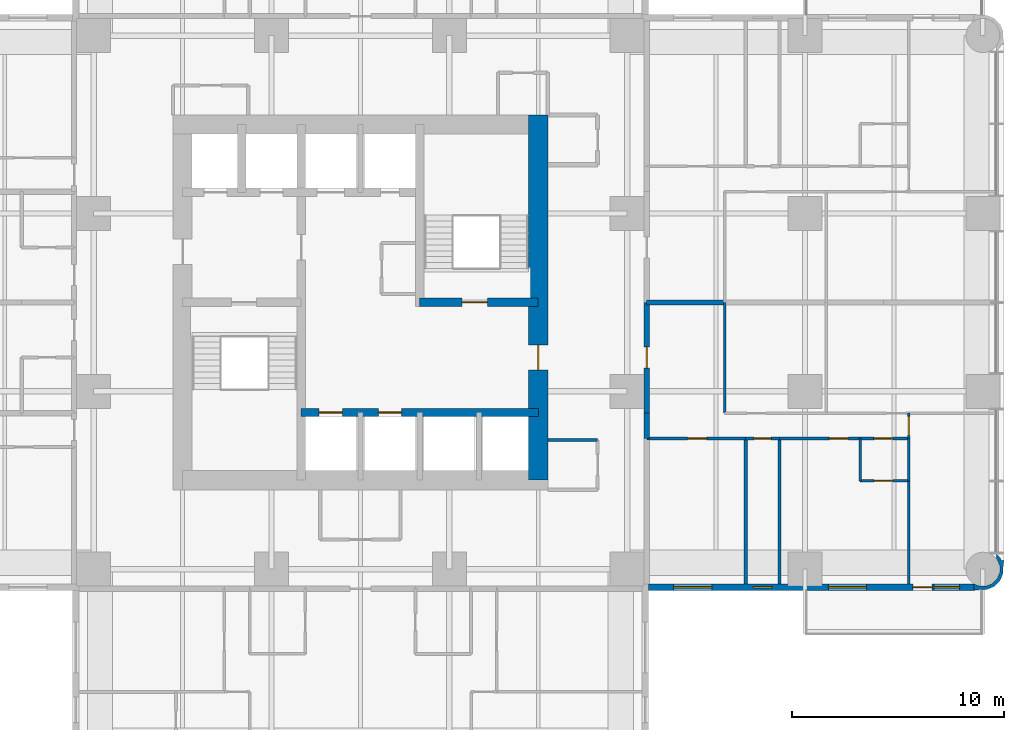
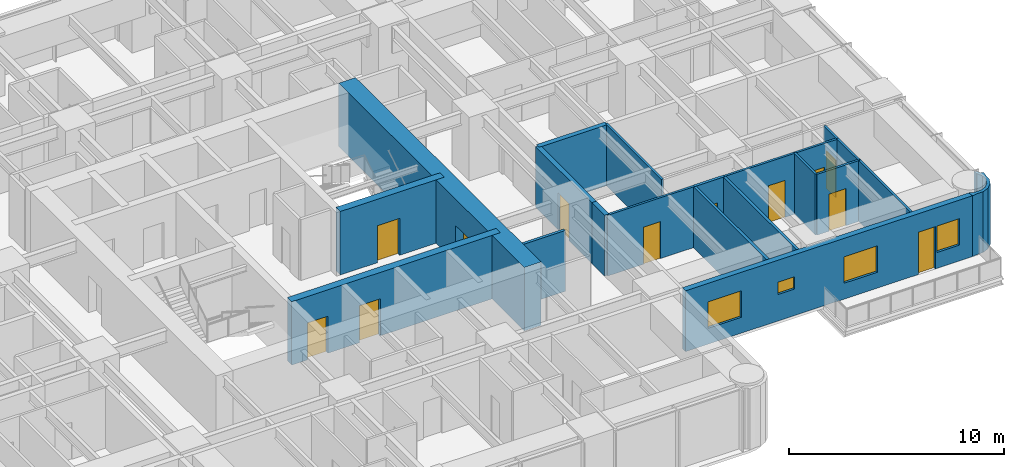
# One storey, part 9 of 14: 21 walls, 12 doors, 4 windows, 16 openings.
"""IFC4 building model written with IfcOpenShell, lengths in metres."""

from ifc_helpers import new_model, si_unit, direction, frame, frame_2d, origin, place, context, subcontext, project, spatial, polyline, rectangle, outline, extrude, material, layer, layer_set, type_object, element, fill, save


model = new_model("IFC4")

# Units and contexts
model_context = context("Model", 3, precision=1e-05, world=origin(), true_north=direction((0.0, 1.0)))
body_context = subcontext(model_context, "Body", "Model", "MODEL_VIEW")
ifc_project = project(units=[si_unit("LENGTHUNIT", "METRE"), si_unit("AREAUNIT", "SQUARE_METRE"), si_unit("VOLUMEUNIT", "CUBIC_METRE"), si_unit("PLANEANGLEUNIT", "RADIAN"), si_unit("MASSUNIT", "GRAM", prefix="KILO")], contexts=[model_context])

# Site, building, storey
site_placement = place(None, origin())
site = spatial("IfcSite", under=ifc_project, at=site_placement, CompositionType="ELEMENT")
building_placement = place(site_placement, origin())
building = spatial("IfcBuilding", under=site, at=building_placement, Name="Torre Alcanfor", CompositionType="ELEMENT")
storey_placement = place(building_placement, frame((0.0, 0.0, 141.300048828125)))
storey = spatial("IfcBuildingStorey", under=building, at=storey_placement, Name="L36", CompositionType="ELEMENT", Elevation=141.300048828125)

# Wall, opening, door
ifc_material_1 = material(Name="Concrete block masonry, hollow blocks NMX-C-404 9 MPa", Category="masonry")
ifc_layer_1 = layer(ifc_material_1, 0.25)
ifc_layer_set_1 = layer_set([ifc_layer_1], Name="Apartment entrance wall 250 EI 60")
wall_type_1 = type_object("IfcWallType", Name="Apartment entrance wall 250 EI 60", PredefinedType="PARTITIONING", material=ifc_layer_set_1)
wall_1_placement = place(storey_placement, frame((42.925048828125, 29.39990234375, 0.0), z_axis=(0.0, 0.0, 1.0), x_axis=(0.0, -1.0, 0.0)))
wall_1 = element("IfcWall", 1, at=wall_1_placement, inside=storey, type_object=wall_type_1, Name="Partition L36-CORR / L36-E2-ZAG", PredefinedType="PARTITIONING", context=body_context, shape_type="SweptSolid", body=[
    extrude(rectangle(XDim=5.22900390625, YDim=0.25, at=frame_2d((2.614501953125, 0.0))), origin(), (0.0, 0.0, 1.0), 3.449951171875),
])
opening_1_placement = place(wall_1_placement, frame((2.10009765625, 0.0, 0.0)))
opening_1 = element("IfcOpeningElement", 2, at=opening_1_placement, cuts=wall_1, Name="Opening D-A1", PredefinedType="OPENING", context=body_context, shape_type="SweptSolid", body=[
    extrude(rectangle(XDim=1.0, YDim=2.10009765625, at=frame_2d((0.5, 1.050048828125))), frame((0.0, 0.135009765625, 0.0), z_axis=(0.0, -1.0, 0.0), x_axis=(1.0, 0.0, 0.0)), (0.0, 0.0, 1.0), 0.27001953125),
])
ifc_material_2 = material(Name="Galvanised steel sheet ASTM A653", Category="steel")
door_type_1 = type_object("IfcDoorType", Name="Apartment entrance door FD60 1000x2100", OperationType="SINGLE_SWING_LEFT", PredefinedType="DOOR", material=ifc_material_2)
door_1_placement = place(opening_1_placement, origin())
door_1 = element("IfcDoor", 3, at=door_1_placement, inside=storey, type_object=door_type_1, Name="Apartment entrance L36-E2", OperationType="SINGLE_SWING_LEFT", OverallHeight=2.10009765625, OverallWidth=1.0, PredefinedType="DOOR", context=body_context, shape_type="SweptSolid", body=[
    extrude(rectangle(XDim=1.0, YDim=2.10009765625, at=frame_2d((0.5, 1.050048828125))), frame((0.0, 0.02490234375, 0.0), z_axis=(0.0, -1.0, 0.0), x_axis=(1.0, 0.0, 0.0)), (0.0, 0.0, 1.0), 0.050048828125),
])
fill(opening_1, door_1)

# Walls
wall_2_placement = place(storey_placement, frame((42.925048828125, 24.1708984375, 0.0), z_axis=(0.0, 0.0, 1.0), x_axis=(0.0, -1.0, 0.0)))
element("IfcWall", 4, at=wall_2_placement, inside=storey, type_object=wall_type_1, Name="Partition L36-CORR / L36-E2-HALL", PredefinedType="PARTITIONING", context=body_context, shape_type="SweptSolid", body=[
    extrude(rectangle(XDim=1.199951171875, YDim=0.25, at=frame_2d((0.60009765625, 0.0))), origin(), (0.0, 0.0, 1.0), 3.449951171875),
])
ifc_material_3 = material(Name="Gypsum board on steel studs", Category="steel")
ifc_layer_2 = layer(ifc_material_3, 0.1201171875)
ifc_layer_set_2 = layer_set([ifc_layer_2], Name="Apartment partition 120")
wall_type_2 = type_object("IfcWallType", Name="Apartment partition 120", PredefinedType="PARTITIONING", material=ifc_layer_set_2)
wall_3_placement = place(storey_placement, frame((46.60009765625, 29.39990234375, 0.0), z_axis=(0.0, 0.0, 1.0), x_axis=(0.0, -1.0, 0.0)))
element("IfcWall", 5, at=wall_3_placement, inside=storey, type_object=wall_type_2, Name="Partition L36-E2-ZAG / L36-E2-FAMILY", PredefinedType="PARTITIONING", context=body_context, shape_type="SweptSolid", body=[
    extrude(rectangle(XDim=5.22900390625, YDim=0.1201171875, at=frame_2d((2.614501953125, 0.0))), origin(), (0.0, 0.0, 1.0), 3.449951171875),
])

# Wall, opening, door
wall_4_placement = place(storey_placement, frame((47.60009765625, 22.970947265625, 0.0), z_axis=(0.0, 0.0, 1.0), x_axis=(-1.0, 0.0, 0.0)))
wall_4 = element("IfcWall", 6, at=wall_4_placement, inside=storey, type_object=wall_type_2, Name="Partition L36-E2-HALL / L36-E2-BED2", PredefinedType="PARTITIONING", context=body_context, shape_type="SweptSolid", body=[
    extrude(rectangle(XDim=4.675048828125, YDim=0.1201171875, at=frame_2d((2.33740234375, 0.0))), origin(), (0.0, 0.0, 1.0), 3.449951171875),
])
opening_2_placement = place(wall_4_placement, frame((1.85009765625, 0.0, 0.0)))
opening_2 = element("IfcOpeningElement", 7, at=opening_2_placement, cuts=wall_4, Name="Opening D-R1", PredefinedType="OPENING", context=body_context, shape_type="SweptSolid", body=[
    extrude(rectangle(XDim=0.89990234375, YDim=2.10009765625, at=frame_2d((0.449951171875, 1.050048828125))), frame((0.0, 0.070068359375, 0.0), z_axis=(0.0, -1.0, 0.0), x_axis=(1.0, 0.0, 0.0)), (0.0, 0.0, 1.0), 0.14013671875),
])
ifc_material_4 = material(Name="Timber", Category="wood")
door_type_2 = type_object("IfcDoorType", Name="Internal door 900x2100", OperationType="SINGLE_SWING_LEFT", PredefinedType="DOOR", material=ifc_material_4)
door_2_placement = place(opening_2_placement, origin())
door_2 = element("IfcDoor", 8, at=door_2_placement, inside=storey, type_object=door_type_2, Name="Door L36-E2 bed2", OperationType="SINGLE_SWING_LEFT", OverallHeight=2.10009765625, OverallWidth=0.89990234375, PredefinedType="DOOR", context=body_context, shape_type="SweptSolid", body=[
    extrude(rectangle(XDim=0.89990234375, YDim=2.10009765625, at=frame_2d((0.449951171875, 1.050048828125))), frame((0.0, 0.02490234375, 0.0), z_axis=(0.0, -1.0, 0.0), x_axis=(1.0, 0.0, 0.0)), (0.0, 0.0, 1.0), 0.050048828125),
])
fill(opening_2, door_2)

wall_5_placement = place(storey_placement, frame((53.0, 22.970947265625, 0.0), z_axis=(0.0, 0.0, 1.0), x_axis=(-1.0, 0.0, 0.0)))
wall_5 = element("IfcWall", 9, at=wall_5_placement, inside=storey, type_object=wall_type_2, Name="Partition L36-E2-HALL / L36-E2-MASTER", PredefinedType="PARTITIONING", context=body_context, shape_type="SweptSolid", body=[
    extrude(rectangle(XDim=3.800048828125, YDim=0.1201171875, at=frame_2d((1.89990234375, 0.0))), origin(), (0.0, 0.0, 1.0), 3.449951171875),
])
opening_3_placement = place(wall_5_placement, frame((0.550048828125, 0.0, 0.0)))
opening_3 = element("IfcOpeningElement", 10, at=opening_3_placement, cuts=wall_5, Name="Opening D-R1", PredefinedType="OPENING", context=body_context, shape_type="SweptSolid", body=[
    extrude(rectangle(XDim=0.89990234375, YDim=2.10009765625, at=frame_2d((0.449951171875, 1.050048828125))), frame((0.0, 0.070068359375, 0.0), z_axis=(0.0, -1.0, 0.0), x_axis=(1.0, 0.0, 0.0)), (0.0, 0.0, 1.0), 0.14013671875),
])
door_3_placement = place(opening_3_placement, origin())
door_3 = element("IfcDoor", 11, at=door_3_placement, inside=storey, type_object=door_type_2, Name="Door L36-E2 master", OperationType="SINGLE_SWING_LEFT", OverallHeight=2.10009765625, OverallWidth=0.89990234375, PredefinedType="DOOR", context=body_context, shape_type="SweptSolid", body=[
    extrude(rectangle(XDim=0.89990234375, YDim=2.10009765625, at=frame_2d((0.449951171875, 1.050048828125))), frame((0.0, 0.02490234375, 0.0), z_axis=(0.0, -1.0, 0.0), x_axis=(1.0, 0.0, 0.0)), (0.0, 0.0, 1.0), 0.050048828125),
])
fill(opening_3, door_3)

wall_6_placement = place(storey_placement, frame((55.300048828125, 22.970947265625, 0.0), z_axis=(0.0, 0.0, 1.0), x_axis=(-1.0, 0.0, 0.0)))
wall_6 = element("IfcWall", 12, at=wall_6_placement, inside=storey, type_object=wall_type_2, Name="Partition L36-E2-HALL / L36-E2-VEST", PredefinedType="PARTITIONING", context=body_context, shape_type="SweptSolid", body=[
    extrude(rectangle(XDim=2.300048828125, YDim=0.1201171875, at=frame_2d((1.14990234375, 0.0))), origin(), (0.0, 0.0, 1.0), 3.449951171875),
])
opening_4_placement = place(wall_6_placement, frame((0.75, 0.0, 0.0)))
opening_4 = element("IfcOpeningElement", 13, at=opening_4_placement, cuts=wall_6, Name="Opening D-R1", PredefinedType="OPENING", context=body_context, shape_type="SweptSolid", body=[
    extrude(rectangle(XDim=0.89990234375, YDim=2.10009765625, at=frame_2d((0.449951171875, 1.050048828125))), frame((0.0, 0.070068359375, 0.0), z_axis=(0.0, -1.0, 0.0), x_axis=(1.0, 0.0, 0.0)), (0.0, 0.0, 1.0), 0.14013671875),
])
door_4_placement = place(opening_4_placement, origin())
door_4 = element("IfcDoor", 14, at=door_4_placement, inside=storey, type_object=door_type_2, Name="Door L36-E2 vest", OperationType="SINGLE_SWING_RIGHT", OverallHeight=2.10009765625, OverallWidth=0.89990234375, PredefinedType="DOOR", context=body_context, shape_type="SweptSolid", body=[
    extrude(rectangle(XDim=0.89990234375, YDim=2.10009765625, at=frame_2d((0.449951171875, 1.050048828125))), frame((0.0, 0.02490234375, 0.0), z_axis=(0.0, -1.0, 0.0), x_axis=(1.0, 0.0, 0.0)), (0.0, 0.0, 1.0), 0.050048828125),
])
fill(opening_4, door_4)

wall_7_placement = place(storey_placement, frame((55.300048828125, 24.1708984375, 0.0), z_axis=(0.0, 0.0, 1.0), x_axis=(0.0, -1.0, 0.0)))
wall_7 = element("IfcWall", 15, at=wall_7_placement, inside=storey, type_object=wall_type_2, Name="Partition L36-E2-HALL / L36-E2-WGARD", PredefinedType="PARTITIONING", context=body_context, shape_type="SweptSolid", body=[
    extrude(rectangle(XDim=1.199951171875, YDim=0.1201171875, at=frame_2d((0.60009765625, 0.0))), origin(), (0.0, 0.0, 1.0), 3.449951171875),
])
opening_5_placement = place(wall_7_placement, frame((0.15087890625, 0.0, 0.0)))
opening_5 = element("IfcOpeningElement", 16, at=opening_5_placement, cuts=wall_7, Name="Opening D-R1", PredefinedType="OPENING", context=body_context, shape_type="SweptSolid", body=[
    extrude(rectangle(XDim=0.89990234375, YDim=2.10009765625, at=frame_2d((0.449951171875, 1.050048828125))), frame((0.0, 0.070068359375, 0.0), z_axis=(0.0, -1.0, 0.0), x_axis=(1.0, 0.0, 0.0)), (0.0, 0.0, 1.0), 0.14013671875),
])
door_5_placement = place(opening_5_placement, origin())
door_5 = element("IfcDoor", 17, at=door_5_placement, inside=storey, type_object=door_type_2, Name="Door L36-E2 wgard", OperationType="SINGLE_SWING_LEFT", OverallHeight=2.10009765625, OverallWidth=0.89990234375, PredefinedType="DOOR", context=body_context, shape_type="SweptSolid", body=[
    extrude(rectangle(XDim=0.89990234375, YDim=2.10009765625, at=frame_2d((0.449951171875, 1.050048828125))), frame((0.0, 0.02490234375, 0.0), z_axis=(0.0, -1.0, 0.0), x_axis=(1.0, 0.0, 0.0)), (0.0, 0.0, 1.0), 0.050048828125),
])
fill(opening_5, door_5)

# Wall
wall_8_placement = place(storey_placement, frame((53.0, 22.970947265625, 0.0), z_axis=(0.0, 0.0, 1.0), x_axis=(0.0, -1.0, 0.0)))
element("IfcWall", 18, at=wall_8_placement, inside=storey, type_object=wall_type_2, Name="Partition L36-E2-MASTER / L36-E2-VEST", PredefinedType="PARTITIONING", context=body_context, shape_type="SweptSolid", body=[
    extrude(rectangle(XDim=2.0, YDim=0.1201171875, at=frame_2d((1.0, 0.0))), origin(), (0.0, 0.0, 1.0), 3.449951171875),
])

# Wall, opening, door
wall_9_placement = place(storey_placement, frame((53.0, 20.970947265625, 0.0), z_axis=(0.0, 0.0, 1.0), x_axis=(1.0, 0.0, 0.0)))
wall_9 = element("IfcWall", 19, at=wall_9_placement, inside=storey, type_object=wall_type_2, Name="Partition L36-E2-MASTER / L36-E2-VEST", PredefinedType="PARTITIONING", context=body_context, shape_type="SweptSolid", body=[
    extrude(rectangle(XDim=2.300048828125, YDim=0.1201171875, at=frame_2d((1.14990234375, 0.0))), origin(), (0.0, 0.0, 1.0), 3.449951171875),
])
opening_6_placement = place(wall_9_placement, frame((0.64990234375, 0.0, 0.0)))
opening_6 = element("IfcOpeningElement", 20, at=opening_6_placement, cuts=wall_9, Name="Opening D-R1", PredefinedType="OPENING", context=body_context, shape_type="SweptSolid", body=[
    extrude(rectangle(XDim=0.89990234375, YDim=2.10009765625, at=frame_2d((0.449951171875, 1.050048828125))), frame((0.0, 0.070068359375, 0.0), z_axis=(0.0, -1.0, 0.0), x_axis=(1.0, 0.0, 0.0)), (0.0, 0.0, 1.0), 0.14013671875),
])
door_6_placement = place(opening_6_placement, origin())
door_6 = element("IfcDoor", 21, at=door_6_placement, inside=storey, type_object=door_type_2, Name="Door L36-E2 master", OperationType="SINGLE_SWING_LEFT", OverallHeight=2.10009765625, OverallWidth=0.89990234375, PredefinedType="DOOR", context=body_context, shape_type="SweptSolid", body=[
    extrude(rectangle(XDim=0.89990234375, YDim=2.10009765625, at=frame_2d((0.449951171875, 1.050048828125))), frame((0.0, 0.02490234375, 0.0), z_axis=(0.0, -1.0, 0.0), x_axis=(1.0, 0.0, 0.0)), (0.0, 0.0, 1.0), 0.050048828125),
])
fill(opening_6, door_6)

# Walls
wall_10_placement = place(storey_placement, frame((55.300048828125, 20.970947265625, 0.0), z_axis=(0.0, 0.0, 1.0), x_axis=(0.0, -1.0, 0.0)))
element("IfcWall", 22, at=wall_10_placement, inside=storey, type_object=wall_type_2, Name="Partition L36-E2-MASTER / L36-E2-WGARD", PredefinedType="PARTITIONING", context=body_context, shape_type="SweptSolid", body=[
    extrude(rectangle(XDim=4.870849609375, YDim=0.1201171875, at=frame_2d((2.435546875, 0.0))), origin(), (0.0, 0.0, 1.0), 3.449951171875),
])
wall_11_placement = place(storey_placement, frame((55.300048828125, 22.970947265625, 0.0), z_axis=(0.0, 0.0, 1.0), x_axis=(0.0, -1.0, 0.0)))
element("IfcWall", 23, at=wall_11_placement, inside=storey, type_object=wall_type_2, Name="Partition L36-E2-VEST / L36-E2-WGARD", PredefinedType="PARTITIONING", context=body_context, shape_type="SweptSolid", body=[
    extrude(rectangle(XDim=2.0, YDim=0.1201171875, at=frame_2d((1.0, 0.0))), origin(), (0.0, 0.0, 1.0), 3.449951171875),
])

# Wall, openings, doors
ifc_material_5 = material(Name="Concrete f'c 70 MPa", Category="concrete")
ifc_layer_3 = layer(ifc_material_5, 0.39990234375)
ifc_layer_set_3 = layer_set([ifc_layer_3], Name="Core inner wall 400 f'c70")
wall_type_3 = type_object("IfcWallType", Name="Core inner wall 400 f'c70", PredefinedType="SHEAR", material=ifc_layer_set_3)
wall_12_placement = place(storey_placement, frame((26.60009765625, 24.199951171875, 0.0), z_axis=(0.0, 0.0, 1.0), x_axis=(1.0, 0.0, 0.0)))
wall_12 = element("IfcWall", 24, at=wall_12_placement, inside=storey, type_object=wall_type_3, Name="Core wall Y242 L36", PredefinedType="SHEAR", context=body_context, shape_type="SweptSolid", body=[
    extrude(rectangle(XDim=11.199951171875, YDim=0.39990234375, at=frame_2d((5.60009765625, 0.0))), origin(), (0.0, 0.0, 1.0), 3.599853515625),
])
opening_7_placement = place(wall_12_placement, frame((0.85009765625, 0.0, 0.0)))
opening_7 = element("IfcOpeningElement", 25, at=opening_7_placement, cuts=wall_12, Name="Opening LD1", PredefinedType="OPENING", context=body_context, shape_type="SweptSolid", body=[
    extrude(rectangle(XDim=1.10009765625, YDim=2.10009765625, at=frame_2d((0.550048828125, 1.050048828125))), frame((0.0, 0.2099609375, 0.0), z_axis=(0.0, -1.0, 0.0), x_axis=(1.0, 0.0, 0.0)), (0.0, 0.0, 1.0), 0.419921875),
])
opening_8_placement = place(wall_12_placement, frame((3.64990234375, 0.0, 0.0)))
opening_8 = element("IfcOpeningElement", 26, at=opening_8_placement, cuts=wall_12, Name="Opening LD1", PredefinedType="OPENING", context=body_context, shape_type="SweptSolid", body=[
    extrude(rectangle(XDim=1.10009765625, YDim=2.10009765625, at=frame_2d((0.550048828125, 1.050048828125))), frame((0.0, 0.2099609375, 0.0), z_axis=(0.0, -1.0, 0.0), x_axis=(1.0, 0.0, 0.0)), (0.0, 0.0, 1.0), 0.419921875),
])
ifc_material_6 = material(Name="Galvanised steel sheet ASTM A653", Category="steel")
door_type_3 = type_object("IfcDoorType", Name="Lift landing door 1100x2100", OperationType="DOUBLE_DOOR_SLIDING", PredefinedType="DOOR", material=ifc_material_6)
door_7_placement = place(opening_7_placement, origin())
door_7 = element("IfcDoor", 27, at=door_7_placement, inside=storey, type_object=door_type_3, Name="Lift landing door PA1 L36", OperationType="DOUBLE_DOOR_SLIDING", OverallHeight=2.10009765625, OverallWidth=1.10009765625, PredefinedType="DOOR", context=body_context, shape_type="SweptSolid", body=[
    extrude(rectangle(XDim=1.10009765625, YDim=2.10009765625, at=frame_2d((0.550048828125, 1.050048828125))), frame((0.0, 0.02490234375, 0.0), z_axis=(0.0, -1.0, 0.0), x_axis=(1.0, 0.0, 0.0)), (0.0, 0.0, 1.0), 0.050048828125),
])
fill(opening_7, door_7)
door_8_placement = place(opening_8_placement, origin())
door_8 = element("IfcDoor", 28, at=door_8_placement, inside=storey, type_object=door_type_3, Name="Lift landing door PA2 L36", OperationType="DOUBLE_DOOR_SLIDING", OverallHeight=2.10009765625, OverallWidth=1.10009765625, PredefinedType="DOOR", context=body_context, shape_type="SweptSolid", body=[
    extrude(rectangle(XDim=1.10009765625, YDim=2.10009765625, at=frame_2d((0.550048828125, 1.050048828125))), frame((0.0, 0.02490234375, 0.0), z_axis=(0.0, -1.0, 0.0), x_axis=(1.0, 0.0, 0.0)), (0.0, 0.0, 1.0), 0.050048828125),
])
fill(opening_8, door_8)

# Wall, opening, door
wall_13_placement = place(storey_placement, frame((32.199951171875, 29.39990234375, 0.0), z_axis=(0.0, 0.0, 1.0), x_axis=(1.0, 0.0, 0.0)))
wall_13 = element("IfcWall", 29, at=wall_13_placement, inside=storey, type_object=wall_type_3, Name="Core wall Y294E L36", PredefinedType="SHEAR", context=body_context, shape_type="SweptSolid", body=[
    extrude(rectangle(XDim=5.60009765625, YDim=0.39990234375, at=frame_2d((2.800048828125, 0.0))), origin(), (0.0, 0.0, 1.0), 3.599853515625),
])
opening_9_placement = place(wall_13_placement, frame((2.0, 0.0, 0.0)))
opening_9 = element("IfcOpeningElement", 30, at=opening_9_placement, cuts=wall_13, Name="Opening D-S2", PredefinedType="OPENING", context=body_context, shape_type="SweptSolid", body=[
    extrude(rectangle(XDim=1.199951171875, YDim=2.10009765625, at=frame_2d((0.60009765625, 1.050048828125))), frame((0.0, 0.2099609375, 0.0), z_axis=(0.0, -1.0, 0.0), x_axis=(1.0, 0.0, 0.0)), (0.0, 0.0, 1.0), 0.419921875),
])
ifc_material_7 = material(Name="Galvanised steel sheet ASTM A653", Category="steel")
door_type_4 = type_object("IfcDoorType", Name="Stair enclosure door FD120 1200x2100", OperationType="SINGLE_SWING_LEFT", PredefinedType="DOOR", material=ifc_material_7)
door_9_placement = place(opening_9_placement, origin())
door_9 = element("IfcDoor", 31, at=door_9_placement, inside=storey, type_object=door_type_4, Name="Stair S2 door L36", OperationType="SINGLE_SWING_LEFT", OverallHeight=2.10009765625, OverallWidth=1.199951171875, PredefinedType="DOOR", context=body_context, shape_type="SweptSolid", body=[
    extrude(rectangle(XDim=1.199951171875, YDim=2.10009765625, at=frame_2d((0.60009765625, 1.050048828125))), frame((0.0, 0.02490234375, 0.0), z_axis=(0.0, -1.0, 0.0), x_axis=(1.0, 0.0, 0.0)), (0.0, 0.0, 1.0), 0.050048828125),
])
fill(opening_9, door_9)

ifc_material_8 = material(Name="Concrete f'c 70 MPa", Category="concrete")
ifc_layer_4 = layer(ifc_material_8, 0.89990234375)
ifc_layer_set_4 = layer_set([ifc_layer_4], Name="Core wall 900 f'c70")
wall_type_4 = type_object("IfcWallType", Name="Core wall 900 f'c70", PredefinedType="SHEAR", material=ifc_layer_set_4)
wall_14_placement = place(storey_placement, frame((37.800048828125, 21.0, 0.0), z_axis=(0.0, 0.0, 1.0), x_axis=(0.0, 1.0, 0.0)))
wall_14 = element("IfcWall", 32, at=wall_14_placement, inside=storey, type_object=wall_type_4, Name="Core wall OUT-E L36", PredefinedType="SHEAR", context=body_context, shape_type="SweptSolid", body=[
    extrude(rectangle(XDim=17.25, YDim=0.89990234375, at=frame_2d((8.625, 0.0))), origin(), (0.0, 0.0, 1.0), 3.599853515625),
])
opening_10_placement = place(wall_14_placement, frame((5.199951171875, 0.0, 0.0)))
opening_10 = element("IfcOpeningElement", 33, at=opening_10_placement, cuts=wall_14, Name="Opening D-L1", PredefinedType="OPENING", context=body_context, shape_type="SweptSolid", body=[
    extrude(rectangle(XDim=1.199951171875, YDim=2.10009765625, at=frame_2d((0.60009765625, 1.050048828125))), frame((0.0, 0.4599609375, 0.0), z_axis=(0.0, -1.0, 0.0), x_axis=(1.0, 0.0, 0.0)), (0.0, 0.0, 1.0), 0.919921875),
])
ifc_material_9 = material(Name="Galvanised steel sheet ASTM A653", Category="steel")
door_type_5 = type_object("IfcDoorType", Name="Lobby door FD120 1200x2100", OperationType="SINGLE_SWING_LEFT", PredefinedType="DOOR", material=ifc_material_9)
door_10_placement = place(opening_10_placement, origin())
door_10 = element("IfcDoor", 34, at=door_10_placement, inside=storey, type_object=door_type_5, Name="Lift lobby entrance door L36", OperationType="SINGLE_SWING_LEFT", OverallHeight=2.10009765625, OverallWidth=1.199951171875, PredefinedType="DOOR", context=body_context, shape_type="SweptSolid", body=[
    extrude(rectangle(XDim=1.199951171875, YDim=2.10009765625, at=frame_2d((0.60009765625, 1.050048828125))), frame((0.0, 0.02490234375, 0.0), z_axis=(0.0, -1.0, 0.0), x_axis=(1.0, 0.0, 0.0)), (0.0, 0.0, 1.0), 0.050048828125),
])
fill(opening_10, door_10)

# Wall, openings, door, windows
ifc_material_10 = material(Name="Limestone cladding", Category="masonry")
ifc_layer_5 = layer(ifc_material_10, 0.0400390625, Name="Facing")
ifc_material_11 = material(Name="Ventilated air cavity")
ifc_layer_6 = layer(ifc_material_11, 0.02001953125, ventilated=True, Name="Ventilated joint")
ifc_material_12 = material(Name="Mineral wool insulation", Category="insulation")
ifc_layer_7 = layer(ifc_material_12, 0.10009765625, Name="Insulation")
ifc_material_13 = material(Name="Concrete f'c 35 MPa", Category="concrete")
ifc_layer_8 = layer(ifc_material_13, 0.139892578125, Name="Backing")
ifc_layer_set_5 = layer_set([ifc_layer_5, ifc_layer_6, ifc_layer_7, ifc_layer_8], Name="External wall stone-clad 300")
wall_type_5 = type_object("IfcWallType", Name="External wall stone-clad 300", PredefinedType="SOLIDWALL", material=ifc_layer_set_5)
wall_15_placement = place(storey_placement, frame((43.0, 15.949951171875, 0.0), z_axis=(0.0, 0.0, 1.0), x_axis=(1.0, 0.0, 0.0)))
wall_15 = element("IfcWall", 35, at=wall_15_placement, inside=storey, type_object=wall_type_5, Name="External wall L36 7", PredefinedType="SOLIDWALL", context=body_context, shape_type="SweptSolid", body=[
    extrude(rectangle(XDim=15.39990234375, YDim=0.300048828125, at=frame_2d((7.699951171875, 0.0))), origin(), (0.0, 0.0, 1.0), 3.449951171875),
])
opening_11_placement = place(wall_15_placement, frame((1.199951171875, 0.0, 0.89990234375)))
opening_11 = element("IfcOpeningElement", 36, at=opening_11_placement, cuts=wall_15, Name="Opening W2", PredefinedType="OPENING", context=body_context, shape_type="SweptSolid", body=[
    extrude(rectangle(XDim=1.800048828125, YDim=1.5, at=frame_2d((0.89990234375, 0.75))), frame((0.0, 0.159912109375, 0.0), z_axis=(0.0, -1.0, 0.0), x_axis=(1.0, 0.0, 0.0)), (0.0, 0.0, 1.0), 0.320068359375),
])
opening_12_placement = place(wall_15_placement, frame((4.949951171875, 0.0, 1.5)))
opening_12 = element("IfcOpeningElement", 37, at=opening_12_placement, cuts=wall_15, Name="Opening W3", PredefinedType="OPENING", context=body_context, shape_type="SweptSolid", body=[
    extrude(rectangle(XDim=0.89990234375, YDim=0.699951171875, at=frame_2d((0.449951171875, 0.35009765625))), frame((0.0, 0.159912109375, 0.0), z_axis=(0.0, -1.0, 0.0), x_axis=(1.0, 0.0, 0.0)), (0.0, 0.0, 1.0), 0.320068359375),
])
opening_13_placement = place(wall_15_placement, frame((8.5, 0.0, 0.89990234375)))
opening_13 = element("IfcOpeningElement", 38, at=opening_13_placement, cuts=wall_15, Name="Opening W2", PredefinedType="OPENING", context=body_context, shape_type="SweptSolid", body=[
    extrude(rectangle(XDim=1.800048828125, YDim=1.5, at=frame_2d((0.89990234375, 0.75))), frame((0.0, 0.159912109375, 0.0), z_axis=(0.0, -1.0, 0.0), x_axis=(1.0, 0.0, 0.0)), (0.0, 0.0, 1.0), 0.320068359375),
])
opening_14_placement = place(wall_15_placement, frame((12.5, 0.0, 0.0)))
opening_14 = element("IfcOpeningElement", 39, at=opening_14_placement, cuts=wall_15, Name="Opening D-B1", PredefinedType="OPENING", context=body_context, shape_type="SweptSolid", body=[
    extrude(rectangle(XDim=0.89990234375, YDim=2.39990234375, at=frame_2d((0.449951171875, 1.199951171875))), frame((0.0, 0.159912109375, 0.0), z_axis=(0.0, -1.0, 0.0), x_axis=(1.0, 0.0, 0.0)), (0.0, 0.0, 1.0), 0.320068359375),
])
opening_15_placement = place(wall_15_placement, frame((13.5, 0.0, 0.89990234375)))
opening_15 = element("IfcOpeningElement", 40, at=opening_15_placement, cuts=wall_15, Name="Opening W4", PredefinedType="OPENING", context=body_context, shape_type="SweptSolid", body=[
    extrude(rectangle(XDim=1.199951171875, YDim=1.5, at=frame_2d((0.60009765625, 0.75))), frame((0.0, 0.159912109375, 0.0), z_axis=(0.0, -1.0, 0.0), x_axis=(1.0, 0.0, 0.0)), (0.0, 0.0, 1.0), 0.320068359375),
])
ifc_material_14 = material(Name="Aluminium and glass", Category="aluminium")
door_type_6 = type_object("IfcDoorType", Name="Balcony door glazed 900x2400", OperationType="SINGLE_SWING_LEFT", PredefinedType="DOOR", material=ifc_material_14)
door_11_placement = place(opening_14_placement, origin())
door_11 = element("IfcDoor", 41, at=door_11_placement, inside=storey, type_object=door_type_6, Name="Balcony door L36-E2", OperationType="SINGLE_SWING_LEFT", OverallHeight=2.39990234375, OverallWidth=0.89990234375, PredefinedType="DOOR", context=body_context, shape_type="SweptSolid", body=[
    extrude(rectangle(XDim=0.89990234375, YDim=2.39990234375, at=frame_2d((0.449951171875, 1.199951171875))), frame((0.0, 0.02490234375, 0.0), z_axis=(0.0, -1.0, 0.0), x_axis=(1.0, 0.0, 0.0)), (0.0, 0.0, 1.0), 0.050048828125),
])
fill(opening_14, door_11)
ifc_material_15 = material(Name="Aluminium frame with clear double glazing", Category="aluminium")
window_type_1 = type_object("IfcWindowType", Name="Window bathroom 900x700", PartitioningType="SINGLE_PANEL", PredefinedType="WINDOW", material=ifc_material_15)
window_1_placement = place(opening_12_placement, origin())
window_1 = element("IfcWindow", 42, at=window_1_placement, inside=storey, type_object=window_type_1, Name="Window W3 L36-E2", OverallHeight=0.699951171875, OverallWidth=0.89990234375, PartitioningType="SINGLE_PANEL", PredefinedType="WINDOW", context=body_context, shape_type="SweptSolid", body=[
    extrude(rectangle(XDim=0.89990234375, YDim=0.699951171875, at=frame_2d((0.449951171875, 0.35009765625))), frame((0.0, 0.030029296875, 0.0), z_axis=(0.0, -1.0, 0.0), x_axis=(1.0, 0.0, 0.0)), (0.0, 0.0, 1.0), 0.06005859375),
])
fill(opening_12, window_1)
ifc_material_16 = material(Name="Aluminium frame with clear double glazing", Category="aluminium")
window_type_2 = type_object("IfcWindowType", Name="Window bedroom 1200x1500", PartitioningType="SINGLE_PANEL", PredefinedType="WINDOW", material=ifc_material_16)
window_2_placement = place(opening_15_placement, origin())
window_2 = element("IfcWindow", 43, at=window_2_placement, inside=storey, type_object=window_type_2, Name="Window W4 L36-E2", OverallHeight=1.5, OverallWidth=1.199951171875, PartitioningType="SINGLE_PANEL", PredefinedType="WINDOW", context=body_context, shape_type="SweptSolid", body=[
    extrude(rectangle(XDim=1.199951171875, YDim=1.5, at=frame_2d((0.60009765625, 0.75))), frame((0.0, 0.030029296875, 0.0), z_axis=(0.0, -1.0, 0.0), x_axis=(1.0, 0.0, 0.0)), (0.0, 0.0, 1.0), 0.06005859375),
])
fill(opening_15, window_2)
ifc_material_17 = material(Name="Aluminium frame with clear double glazing", Category="aluminium")
window_type_3 = type_object("IfcWindowType", Name="Window bedroom 1800x1500", PartitioningType="SINGLE_PANEL", PredefinedType="WINDOW", material=ifc_material_17)
window_3_placement = place(opening_11_placement, origin())
window_3 = element("IfcWindow", 44, at=window_3_placement, inside=storey, type_object=window_type_3, Name="Window W2 L36-E2", OverallHeight=1.5, OverallWidth=1.800048828125, PartitioningType="SINGLE_PANEL", PredefinedType="WINDOW", context=body_context, shape_type="SweptSolid", body=[
    extrude(rectangle(XDim=1.800048828125, YDim=1.5, at=frame_2d((0.89990234375, 0.75))), frame((0.0, 0.030029296875, 0.0), z_axis=(0.0, -1.0, 0.0), x_axis=(1.0, 0.0, 0.0)), (0.0, 0.0, 1.0), 0.06005859375),
])
fill(opening_11, window_3)
window_4_placement = place(opening_13_placement, origin())
window_4 = element("IfcWindow", 45, at=window_4_placement, inside=storey, type_object=window_type_3, Name="Window W2 L36-E2", OverallHeight=1.5, OverallWidth=1.800048828125, PartitioningType="SINGLE_PANEL", PredefinedType="WINDOW", context=body_context, shape_type="SweptSolid", body=[
    extrude(rectangle(XDim=1.800048828125, YDim=1.5, at=frame_2d((0.89990234375, 0.75))), frame((0.0, 0.030029296875, 0.0), z_axis=(0.0, -1.0, 0.0), x_axis=(1.0, 0.0, 0.0)), (0.0, 0.0, 1.0), 0.06005859375),
])
fill(opening_13, window_4)

# Walls
ifc_material_18 = material(Name="Concrete block masonry, hollow blocks NMX-C-404 9 MPa", Category="masonry")
ifc_layer_9 = layer(ifc_material_18, 0.25)
ifc_layer_set_6 = layer_set([ifc_layer_9], Name="Party wall 250 EI 60")
wall_type_6 = type_object("IfcWallType", Name="Party wall 250 EI 60", PredefinedType="PARTITIONING", material=ifc_layer_set_6)
wall_16_placement = place(storey_placement, frame((42.925048828125, 29.39990234375, 0.0), z_axis=(0.0, 0.0, 1.0), x_axis=(1.0, 0.0, 0.0)))
element("IfcWall", 46, at=wall_16_placement, inside=storey, type_object=wall_type_6, Name="Partition L36-E1-ZAG / L36-E2-ZAG", PredefinedType="PARTITIONING", context=body_context, shape_type="SweptSolid", body=[
    extrude(rectangle(XDim=3.675048828125, YDim=0.25, at=frame_2d((1.83740234375, 0.0))), origin(), (0.0, 0.0, 1.0), 3.449951171875),
])
ifc_material_19 = material(Name="Concrete block masonry, hollow blocks NMX-C-404 9 MPa", Category="masonry")
ifc_layer_10 = layer(ifc_material_19, 0.14990234375)
ifc_layer_set_7 = layer_set([ifc_layer_10], Name="Residents' room partition 150")
wall_type_7 = type_object("IfcWallType", Name="Residents' room partition 150", PredefinedType="PARTITIONING", material=ifc_layer_set_7)
wall_17_placement = place(storey_placement, frame((40.60009765625, 22.89990234375, 0.0), z_axis=(0.0, 0.0, 1.0), x_axis=(-1.0, 0.0, 0.0)))
element("IfcWall", 47, at=wall_17_placement, inside=storey, type_object=wall_type_7, Name="Partition L36-CORR / L36-G03", PredefinedType="PARTITIONING", context=body_context, shape_type="SweptSolid", body=[
    extrude(rectangle(XDim=2.35009765625, YDim=0.14990234375, at=frame_2d((1.175048828125, 0.0))), origin(), (0.0, 0.0, 1.0), 3.449951171875),
])
ifc_layer_11 = layer(ifc_material_10, 0.0400390625, Name="Facing")
ifc_layer_12 = layer(ifc_material_11, 0.02001953125, ventilated=True, Name="Ventilated joint")
ifc_layer_13 = layer(ifc_material_12, 0.10009765625, Name="Insulation")
ifc_layer_14 = layer(ifc_material_13, 0.139892578125, Name="Backing")
ifc_layer_set_8 = layer_set([ifc_layer_11, ifc_layer_12, ifc_layer_13, ifc_layer_14], Name="Rounded corner pier stone-clad 300")
wall_type_8 = type_object("IfcWallType", Name="Rounded corner pier stone-clad 300", PredefinedType="SOLIDWALL", material=ifc_layer_set_8)
wall_18_placement = place(storey_placement, frame((58.473176205, 15.982940512, 0.0), z_axis=(0.0, 0.0, 1.0), x_axis=(0.93923434088, -0.343276641956, 0.0)))
element("IfcWall", 48, at=wall_18_placement, inside=storey, type_object=wall_type_8, Name="Corner pier L36 17", PredefinedType="SOLIDWALL", context=body_context, shape_type="SweptSolid", body=[
    extrude(outline(polyline([(0.8284730010654036, 1.5985425833407376), (0.696550254150438, 1.5690420941096577), (0.604150309609554, 1.6696580493968027), (0.3940514645210207, 1.7672868618913617), (0.47123842429676593, 1.5560967183488668), (0.5084988752141064, 1.538782517623304), (0.7242236800575332, 1.304144262222244), (0.8335928250166512, 1.004900899222292), (0.8200123708562836, 0.6864548699061994), (0.6857181921193565, 0.39745154052212156), (0.4509961289443815, 0.18195604093769838), (0.15175276594442946, 0.07258689597858048), (-0.11627514476265094, 0.08405951949541965), (-0.12738305855443924, 0.07818018621272643), (-0.1459567845337466, 0.07139175652560875), (-0.006038883692560254, -0.1969313551897346), (0.2657016888450987, -0.05498461418889633), (0.5353646734335612, 0.04357332793518234), (0.8165937238928549, 0.3018001061266741), (0.9775139424010254, 0.6481031205348973), (0.9937655592370759, 1.0296500763704852), (0.8951238093390822, 1.2995423662179517), (0.8284730010654036, 1.5985425833407376)])), origin(), (0.0, 0.0, 1.0), 3.449951171875),
])

# Wall, opening, door
ifc_material_20 = material(Name="Cement board on steel studs", Category="steel")
ifc_layer_15 = layer(ifc_material_20, 0.14990234375)
ifc_layer_set_9 = layer_set([ifc_layer_15], Name="Wet area partition 150")
wall_type_9 = type_object("IfcWallType", Name="Wet area partition 150", PredefinedType="PARTITIONING", material=ifc_layer_set_9)
wall_19_placement = place(storey_placement, frame((49.199951171875, 22.970947265625, 0.0), z_axis=(0.0, 0.0, 1.0), x_axis=(-1.0, 0.0, 0.0)))
wall_19 = element("IfcWall", 49, at=wall_19_placement, inside=storey, type_object=wall_type_9, Name="Partition L36-E2-HALL / L36-E2-BATH1", PredefinedType="PARTITIONING", context=body_context, shape_type="SweptSolid", body=[
    extrude(rectangle(XDim=1.599853515625, YDim=0.14990234375, at=frame_2d((0.7998046875, 0.0))), origin(), (0.0, 0.0, 1.0), 3.449951171875),
])
opening_16_placement = place(wall_19_placement, frame((0.39990234375, 0.0, 0.0)))
opening_16 = element("IfcOpeningElement", 50, at=opening_16_placement, cuts=wall_19, Name="Opening D-R2", PredefinedType="OPENING", context=body_context, shape_type="SweptSolid", body=[
    extrude(rectangle(XDim=0.800048828125, YDim=2.10009765625, at=frame_2d((0.39990234375, 1.050048828125))), frame((0.0, 0.0849609375, 0.0), z_axis=(0.0, -1.0, 0.0), x_axis=(1.0, 0.0, 0.0)), (0.0, 0.0, 1.0), 0.169921875),
])
ifc_material_21 = material(Name="Timber", Category="wood")
door_type_7 = type_object("IfcDoorType", Name="Bathroom door 800x2100", OperationType="SINGLE_SWING_LEFT", PredefinedType="DOOR", material=ifc_material_21)
door_12_placement = place(opening_16_placement, origin())
door_12 = element("IfcDoor", 51, at=door_12_placement, inside=storey, type_object=door_type_7, Name="Door L36-E2 bath1", OperationType="SINGLE_SWING_LEFT", OverallHeight=2.10009765625, OverallWidth=0.800048828125, PredefinedType="DOOR", context=body_context, shape_type="SweptSolid", body=[
    extrude(rectangle(XDim=0.800048828125, YDim=2.10009765625, at=frame_2d((0.39990234375, 1.050048828125))), frame((0.0, 0.02490234375, 0.0), z_axis=(0.0, -1.0, 0.0), x_axis=(1.0, 0.0, 0.0)), (0.0, 0.0, 1.0), 0.050048828125),
])
fill(opening_16, door_12)

# Walls
for number, where, z_axis, x_axis, name in (
    (52, (47.60009765625, 22.970947265625, 0.0), (0.0, 0.0, 1.0), (0.0, -1.0, 0.0), "Partition L36-E2-BED2 / L36-E2-BATH1"),
    (53, (49.199951171875, 22.970947265625, 0.0), (0.0, 0.0, 1.0), (0.0, -1.0, 0.0), "Partition L36-E2-BATH1 / L36-E2-MASTER"),
):
    element("IfcWall", number, at=place(storey_placement, frame(where, z_axis=z_axis, x_axis=x_axis)), inside=storey, type_object=wall_type_9, Name=name, PredefinedType="PARTITIONING", context=body_context, shape_type="SweptSolid", body=[
        extrude(rectangle(XDim=6.870849609375, YDim=0.14990234375, at=frame_2d((3.435546875, 0.0))), origin(), (0.0, 0.0, 1.0), 3.449951171875),
    ])

save(model, "model.ifc")
